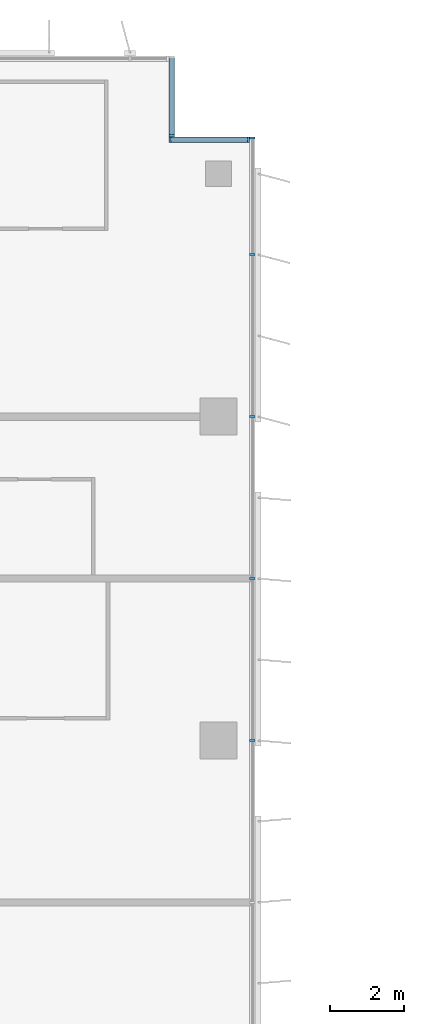
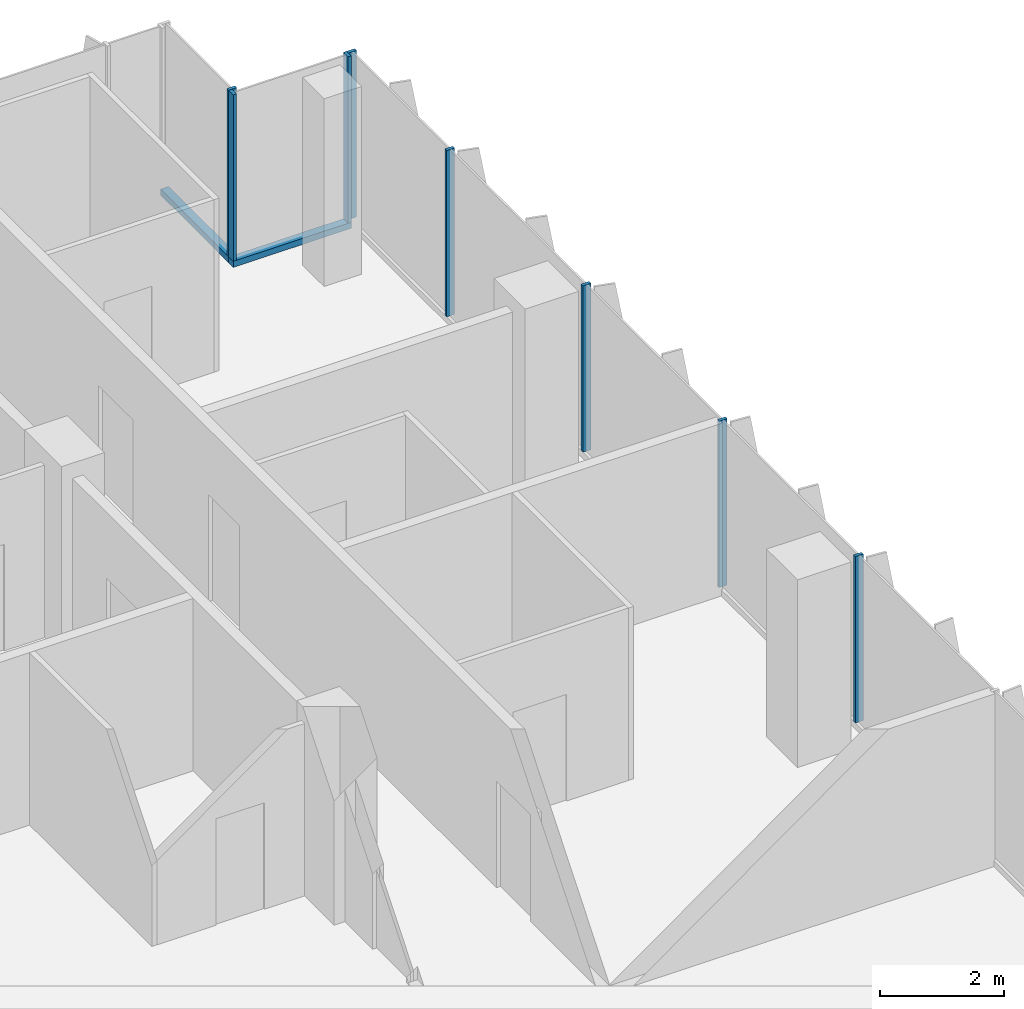
# One storey, part 7 of 20: 10 members, 3 elements without a shape of their own.
"""IFC4 building model written with IfcOpenShell, lengths in metres."""

from ifc_helpers import new_model, si_unit, direction, frame, origin, origin_2d, place, context, subcontext, project, spatial, rectangle, extrude, source, transform, mapped, material, material_profile, profile_set, type_object, element, aggregate, save


model = new_model("IFC4")

# Units and contexts
model_context = context("Model", 3, precision=1e-05, world=origin(), true_north=direction((0.0, 1.0)))
body_context = subcontext(model_context, "Body", "Model", "MODEL_VIEW")
ifc_project = project(units=[si_unit("LENGTHUNIT", "METRE"), si_unit("AREAUNIT", "SQUARE_METRE"), si_unit("VOLUMEUNIT", "CUBIC_METRE"), si_unit("PLANEANGLEUNIT", "RADIAN"), si_unit("MASSUNIT", "GRAM", prefix="KILO")], contexts=[model_context])

# Site, building, storey
site_placement = place(None, origin())
site = spatial("IfcSite", under=ifc_project, at=site_placement, CompositionType="ELEMENT")
building_placement = place(site_placement, origin())
building = spatial("IfcBuilding", under=site, at=building_placement, Name="Kemantara Hotel Tower", CompositionType="ELEMENT")
storey_placement = place(building_placement, frame((0.0, 0.0, 186.39990234375)))
storey = spatial("IfcBuildingStorey", under=building, at=storey_placement, Name="L46", CompositionType="ELEMENT", Elevation=186.39990234375)

# Curtain wall, member
ifc_material_1 = material(Name="Low-E tinted double insulated glass 36 mm", Category="glass")
curtain_wall_type = type_object("IfcCurtainWallType", Name="TOWER CURTAIN WALL, FRONT FACES", PredefinedType="USERDEFINED", material=ifc_material_1)
curtain_wall_1_placement = place(storey_placement, origin())
curtain_wall_1 = element("IfcCurtainWall", 1, at=curtain_wall_1_placement, inside=storey, type_object=curtain_wall_type, Name="CW4 L46 T3-R00-1", ObjectType="TOWER CURTAIN WALL, FRONT FACES", PredefinedType="USERDEFINED")
ifc_material_2 = material(Name="Aluminium 6063-T6 bronze anodised", Category="aluminium")
ifc_material_profile_1 = material_profile(ifc_material_2, rectangle(XDim=0.14990234375, YDim=0.1201171875, at=origin_2d()), Name="TOWER CURTAIN WALL, FRONT FACES TRANSOM")
ifc_profile_set_1 = profile_set([ifc_material_profile_1], Name="Aluminium 6063-T6 bronze anodised")
member_type_1 = type_object("IfcMemberType", Name="TOWER CURTAIN WALL, FRONT FACES TRANSOM", PredefinedType="USERDEFINED", material=ifc_profile_set_1)
member_1_placement = place(storey_placement, frame((21.85009765625, 61.324951171875, 0.06005859375), z_axis=(-1.0, 0.0, 0.0), x_axis=(0.0, -1.0, 0.0)))
member_1 = element("IfcMember", 2, at=member_1_placement, type_object=member_type_1, Name="CW4 sill transom T3-R00-1", ObjectType="TRANSOM", PredefinedType="USERDEFINED", context=body_context, shape_type="SweptSolid", body=[
    extrude(rectangle(XDim=0.14990234375, YDim=0.1201171875, at=origin_2d()), origin(), (0.0, 0.0, 1.0), 2.2001953125),
])

curtain_wall_2_placement = place(storey_placement, origin())
curtain_wall_2 = element("IfcCurtainWall", 3, at=curtain_wall_2_placement, inside=storey, type_object=curtain_wall_type, Name="CW4 L46 T3-R01-1", ObjectType="TOWER CURTAIN WALL, FRONT FACES", PredefinedType="USERDEFINED")
member_2_placement = place(storey_placement, frame((19.72509765625, 61.39990234375, 0.06005859375), z_axis=(0.0, 1.0, 0.0), x_axis=(-1.0, 0.0, 0.0)))
member_2 = element("IfcMember", 4, at=member_2_placement, type_object=member_type_1, Name="CW4 sill transom T3-R01-1", ObjectType="TRANSOM", PredefinedType="USERDEFINED", context=body_context, shape_type="SweptSolid", body=[
    extrude(rectangle(XDim=0.14990234375, YDim=0.1201171875, at=origin_2d()), origin(), (0.0, 0.0, 1.0), 2.2001953125),
])

# Curtain wall, members
curtain_wall_3_placement = place(storey_placement, origin())
curtain_wall_3 = element("IfcCurtainWall", 5, at=curtain_wall_3_placement, inside=storey, type_object=curtain_wall_type, Name="CW4 L46 T3-R17-1", ObjectType="TOWER CURTAIN WALL, FRONT FACES", PredefinedType="USERDEFINED")
ifc_material_profile_2 = material_profile(ifc_material_2, rectangle(XDim=0.14990234375, YDim=0.06005859375, at=origin_2d()), Name="TOWER CURTAIN WALL, FRONT FACES MULLION")
ifc_profile_set_2 = profile_set([ifc_material_profile_2], Name="Aluminium 6063-T6 bronze anodised")
member_type_2 = type_object("IfcMemberType", Name="TOWER CURTAIN WALL, FRONT FACES MULLION", PredefinedType="MULLION", material=ifc_profile_set_2)
shared_shape = source(origin(), body_context, "Body", "SweptSolid", [
    extrude(rectangle(XDim=0.14990234375, YDim=0.06005859375, at=origin_2d()), origin(), (0.0, 0.0, 1.0), 3.280029296875),
])
member_3_placement = place(storey_placement, frame((21.925048828125, 45.0, 0.1201171875), z_axis=(0.0, 0.0, 1.0), x_axis=(-1.0, 0.0, 0.0)))
member_3 = element("IfcMember", 6, at=member_3_placement, type_object=member_type_2, Name="CW4 mullion T3-R17-1.6", PredefinedType="MULLION", context=body_context, shape_type="MappedRepresentation", body=[
    mapped(shared_shape, transform((0.0, 0.0, 0.0))),
])
member_4_placement = place(storey_placement, frame((21.925048828125, 49.39990234375, 0.1201171875), z_axis=(0.0, 0.0, 1.0), x_axis=(-1.0, 0.0, 0.0)))
member_4 = element("IfcMember", 7, at=member_4_placement, type_object=member_type_2, Name="CW4 mullion T3-R17-1.7", PredefinedType="MULLION", context=body_context, shape_type="MappedRepresentation", body=[
    mapped(shared_shape, transform((0.0, 0.0, 0.0))),
])
member_5_placement = place(storey_placement, frame((21.925048828125, 53.800048828125, 0.1201171875), z_axis=(0.0, 0.0, 1.0), x_axis=(-1.0, 0.0, 0.0)))
member_5 = element("IfcMember", 8, at=member_5_placement, type_object=member_type_2, Name="CW4 mullion T3-R17-1.8", PredefinedType="MULLION", context=body_context, shape_type="MappedRepresentation", body=[
    mapped(shared_shape, transform((0.0, 0.0, 0.0))),
])
member_6_placement = place(storey_placement, frame((21.925048828125, 58.199951171875, 0.1201171875), z_axis=(0.0, 0.0, 1.0), x_axis=(-1.0, 0.0, 0.0)))
member_6 = element("IfcMember", 9, at=member_6_placement, type_object=member_type_2, Name="CW4 mullion T3-R17-1.9", PredefinedType="MULLION", context=body_context, shape_type="MappedRepresentation", body=[
    mapped(shared_shape, transform((0.0, 0.0, 0.0))),
])
member_7_placement = place(storey_placement, frame((21.925048828125, 61.3701171875, 0.1201171875), z_axis=(0.0, 0.0, 1.0), x_axis=(-1.0, 0.0, 0.0)))
member_7 = element("IfcMember", 10, at=member_7_placement, type_object=member_type_2, Name="CW4 mullion T3-R17-1.10", PredefinedType="MULLION", context=body_context, shape_type="MappedRepresentation", body=[
    mapped(shared_shape, transform((0.0, 0.0, 0.0))),
])
aggregate(curtain_wall_3, [member_3, member_4, member_5, member_6, member_7])

# Member
member_8_placement = place(storey_placement, frame((21.820068359375, 61.324951171875, 0.1201171875), z_axis=(0.0, 0.0, 1.0), x_axis=(0.0, -1.0, 0.0)))
member_8 = element("IfcMember", 11, at=member_8_placement, type_object=member_type_2, Name="CW4 mullion T3-R00-1.1", PredefinedType="MULLION", context=body_context, shape_type="MappedRepresentation", body=[
    mapped(shared_shape, transform((0.0, 0.0, 0.0))),
])

member_9_placement = place(storey_placement, frame((19.679931640625, 61.324951171875, 0.1201171875), z_axis=(0.0, 0.0, 1.0), x_axis=(0.0, -1.0, 0.0)))
member_9 = element("IfcMember", 12, at=member_9_placement, type_object=member_type_2, Name="CW4 mullion T3-R00-1.2", PredefinedType="MULLION", context=body_context, shape_type="MappedRepresentation", body=[
    mapped(shared_shape, transform((0.0, 0.0, 0.0))),
])

aggregate(curtain_wall_1, [member_1, member_8, member_9])

member_10_placement = place(storey_placement, frame((19.72509765625, 61.429931640625, 0.1201171875), z_axis=(0.0, 0.0, 1.0), x_axis=(-1.0, 0.0, 0.0)))
member_10 = element("IfcMember", 13, at=member_10_placement, type_object=member_type_2, Name="CW4 mullion T3-R01-1.1", PredefinedType="MULLION", context=body_context, shape_type="MappedRepresentation", body=[
    mapped(shared_shape, transform((0.0, 0.0, 0.0))),
])

aggregate(curtain_wall_2, [member_2, member_10])

save(model, "model.ifc")
